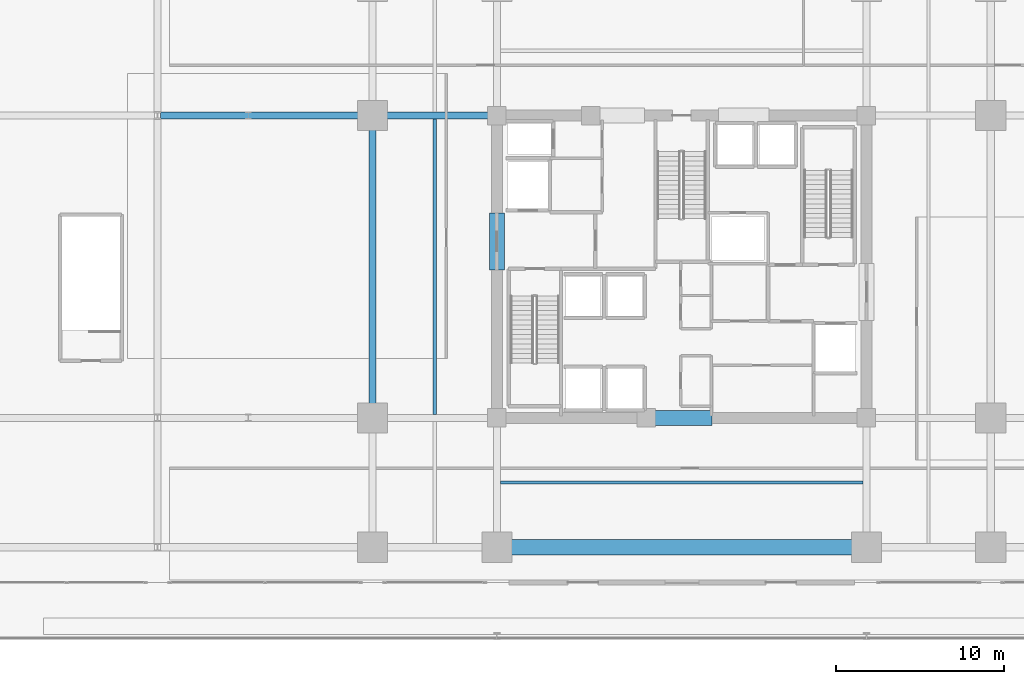
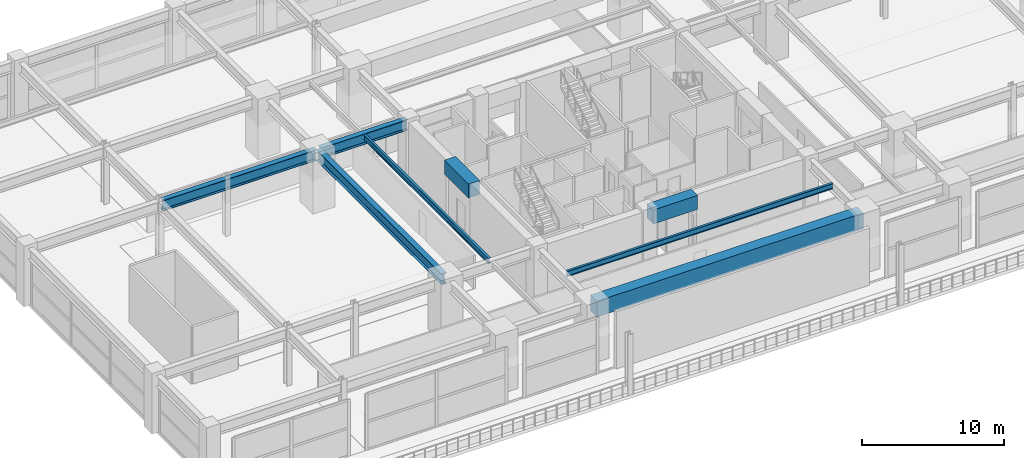
# One storey, part 8 of 35: 8 beams.
"""IFC4 building model written with IfcOpenShell, lengths in metres."""

from ifc_helpers import new_model, si_unit, direction, frame, origin, origin_2d, place, context, subcontext, project, spatial, rectangle, i_section, extrude, material, material_profile, profile_set, type_object, element, save


model = new_model("IFC4")

# Units and contexts
model_context = context("Model", 3, precision=1e-05, world=origin(), true_north=direction((0.0, 1.0)))
body_context = subcontext(model_context, "Body", "Model", "MODEL_VIEW")
ifc_project = project(units=[si_unit("LENGTHUNIT", "METRE"), si_unit("AREAUNIT", "SQUARE_METRE"), si_unit("VOLUMEUNIT", "CUBIC_METRE"), si_unit("PLANEANGLEUNIT", "RADIAN"), si_unit("MASSUNIT", "GRAM", prefix="KILO")], contexts=[model_context])

# Site, building, storey
site_placement = place(None, origin())
site = spatial("IfcSite", under=ifc_project, at=site_placement, CompositionType="ELEMENT")
building_placement = place(site_placement, origin())
building = spatial("IfcBuilding", under=site, at=building_placement, Name="Kovane Verandah Tower", CompositionType="ELEMENT")
storey_placement = place(building_placement, frame((0.0, 0.0, 16.39990234375)))
storey = spatial("IfcBuildingStorey", under=building, at=storey_placement, Name="L03", CompositionType="ELEMENT", Elevation=16.39990234375)

# Beams
ifc_material_1 = material(Name="Concrete C80/95", Category="concrete")
ifc_material_profile_1 = material_profile(ifc_material_1, rectangle(XDim=0.89990234375, YDim=1.199951171875, at=origin_2d()), Name="RCB900x1200")
ifc_profile_set_1 = profile_set([ifc_material_profile_1], Name="Concrete C80/95")
beam_type_1 = type_object("IfcBeamType", Name="BM-LINTEL-900x1200", PredefinedType="LINTEL", material=ifc_profile_set_1)
beam_1_placement = place(storey_placement, frame((38.199951171875, 18.5, 4.300048828125), z_axis=(1.0, 0.0, 0.0), x_axis=(0.0, 1.0, 0.0)))
element("IfcBeam", 1, at=beam_1_placement, inside=storey, type_object=beam_type_1, Name="L03 Core Coupling Lintel CL-S", PredefinedType="LINTEL", context=body_context, shape_type="SweptSolid", body=[
    extrude(rectangle(XDim=0.89990234375, YDim=1.199951171875, at=origin_2d()), origin(), (0.0, 0.0, 1.0), 3.60009765625),
])
beam_2_placement = place(storey_placement, frame((29.0, 27.300048828125, 4.300048828125), z_axis=(0.0, 1.0, 0.0), x_axis=(-1.0, 0.0, 0.0)))
element("IfcBeam", 2, at=beam_2_placement, inside=storey, type_object=beam_type_1, Name="L03 Core Coupling Lintel CL-W", PredefinedType="LINTEL", context=body_context, shape_type="SweptSolid", body=[
    extrude(rectangle(XDim=0.89990234375, YDim=1.199951171875, at=origin_2d()), origin(), (0.0, 0.0, 1.0), 3.39990234375),
])
ifc_material_profile_2 = material_profile(ifc_material_1, rectangle(XDim=0.89990234375, YDim=1.35009765625, at=origin_2d()), Name="RCB900x1350")
ifc_profile_set_2 = profile_set([ifc_material_profile_2], Name="Concrete C80/95")
beam_type_2 = type_object("IfcBeamType", Name="BM-TR-900x1350", PredefinedType="BEAM", material=ifc_profile_set_2)
beam_3_placement = place(storey_placement, frame((29.179931640625, 10.800048828125, 4.22509765625), z_axis=(1.0, 0.0, 0.0), x_axis=(0.0, 1.0, 0.0)))
element("IfcBeam", 3, at=beam_3_placement, inside=storey, type_object=beam_type_2, Name="L03 Primary Tower Girder G-RS2", PredefinedType="BEAM", context=body_context, shape_type="SweptSolid", body=[
    extrude(rectangle(XDim=0.89990234375, YDim=1.35009765625, at=origin_2d()), origin(), (0.0, 0.0, 1.0), 21.64013671875),
])
ifc_material_2 = material(Name="Steel S460", Category="steel")
ifc_material_profile_3 = material_profile(ifc_material_2, i_section(OverallWidth=0.42041015625, OverallDepth=0.9208984375, WebThickness=0.021484375, FlangeThickness=0.03662109375, FilletRadius=0.024169921875, at=origin_2d()), Name="UB914x419x388")
ifc_profile_set_3 = profile_set([ifc_material_profile_3], Name="Steel S460")
beam_type_3 = type_object("IfcBeamType", Name="BM-UB914x388", PredefinedType="BEAM", material=ifc_profile_set_3)
beam_4_placement = place(storey_placement, frame((21.60009765625, 18.679931640625, 4.439697265625), z_axis=(0.0, 1.0, 0.0), x_axis=(-1.0, 0.0, 0.0)))
element("IfcBeam", 4, at=beam_4_placement, inside=storey, type_object=beam_type_3, Name="L03 Primary Tower Girder G-RW2", PredefinedType="BEAM", context=body_context, shape_type="SweptSolid", body=[
    extrude(i_section(OverallWidth=0.42041015625, OverallDepth=0.9208984375, WebThickness=0.021484375, FlangeThickness=0.03662109375, FilletRadius=0.024169921875, at=origin_2d()), origin(), (0.0, 0.0, 1.0), 17.64013671875),
])
beam_5_placement = place(storey_placement, frame((28.820068359375, 36.5, 4.439697265625), z_axis=(-1.0, 0.0, 0.0), x_axis=(0.0, -1.0, 0.0)))
element("IfcBeam", 5, at=beam_5_placement, inside=storey, type_object=beam_type_3, Name="L03 Primary Tower Girder G-W2", PredefinedType="BEAM", context=body_context, shape_type="SweptSolid", body=[
    extrude(i_section(OverallWidth=0.42041015625, OverallDepth=0.9208984375, WebThickness=0.021484375, FlangeThickness=0.03662109375, FilletRadius=0.024169921875, at=origin_2d()), origin(), (0.0, 0.0, 1.0), 7.0400390625),
])
beam_6_placement = place(storey_placement, frame((8.97998046875, 36.5, 4.439697265625), z_axis=(1.0, 0.0, 0.0), x_axis=(0.0, 1.0, 0.0)))
element("IfcBeam", 6, at=beam_6_placement, inside=storey, type_object=beam_type_3, Name="L03 Podium Garden Transfer Girder X10", PredefinedType="BEAM", context=body_context, shape_type="SweptSolid", body=[
    extrude(i_section(OverallWidth=0.42041015625, OverallDepth=0.9208984375, WebThickness=0.021484375, FlangeThickness=0.03662109375, FilletRadius=0.024169921875, at=origin_2d()), origin(), (0.0, 0.0, 1.0), 12.43994140625),
])
ifc_material_3 = material(Name="Steel S355", Category="steel")
ifc_material_profile_4 = material_profile(ifc_material_3, i_section(OverallWidth=0.19287109375, OverallDepth=0.46728515625, WebThickness=0.011474609375, FlangeThickness=0.01953125, FilletRadius=0.01025390625, at=origin_2d()), Name="UB457x191x98")
ifc_profile_set_4 = profile_set([ifc_material_profile_4], Name="Steel S355")
beam_type_4 = type_object("IfcBeamType", Name="JST-UB457x98", PredefinedType="JOIST", material=ifc_profile_set_4)
beam_7_placement = place(storey_placement, frame((29.208251953125, 14.64990234375, 4.66650390625), z_axis=(1.0, 0.0, 0.0), x_axis=(0.0, 1.0, 0.0)))
element("IfcBeam", 7, at=beam_7_placement, inside=storey, type_object=beam_type_4, Name="L03 Secondary Composite Joist J-S1", PredefinedType="JOIST", context=body_context, shape_type="SweptSolid", body=[
    extrude(i_section(OverallWidth=0.19287109375, OverallDepth=0.46728515625, WebThickness=0.011474609375, FlangeThickness=0.01953125, FilletRadius=0.01025390625, at=origin_2d()), origin(), (0.0, 0.0, 1.0), 21.58349609375),
])
beam_8_placement = place(storey_placement, frame((25.300048828125, 18.708251953125, 4.66650390625), z_axis=(0.0, 1.0, 0.0), x_axis=(-1.0, 0.0, 0.0)))
element("IfcBeam", 8, at=beam_8_placement, inside=storey, type_object=beam_type_4, Name="L03 Secondary Composite Joist J-W1", PredefinedType="JOIST", context=body_context, shape_type="SweptSolid", body=[
    extrude(i_section(OverallWidth=0.19287109375, OverallDepth=0.46728515625, WebThickness=0.011474609375, FlangeThickness=0.01953125, FilletRadius=0.01025390625, at=origin_2d()), origin(), (0.0, 0.0, 1.0), 17.58349609375),
])

save(model, "model.ifc")
